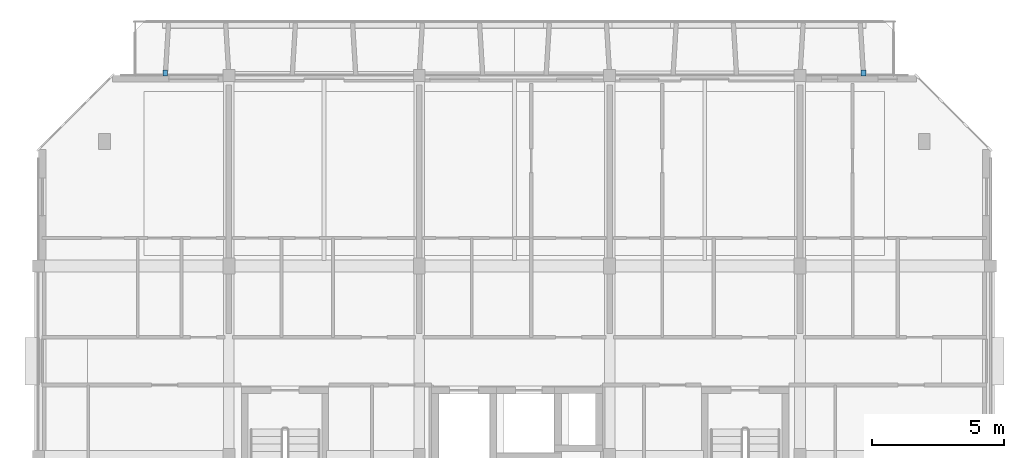
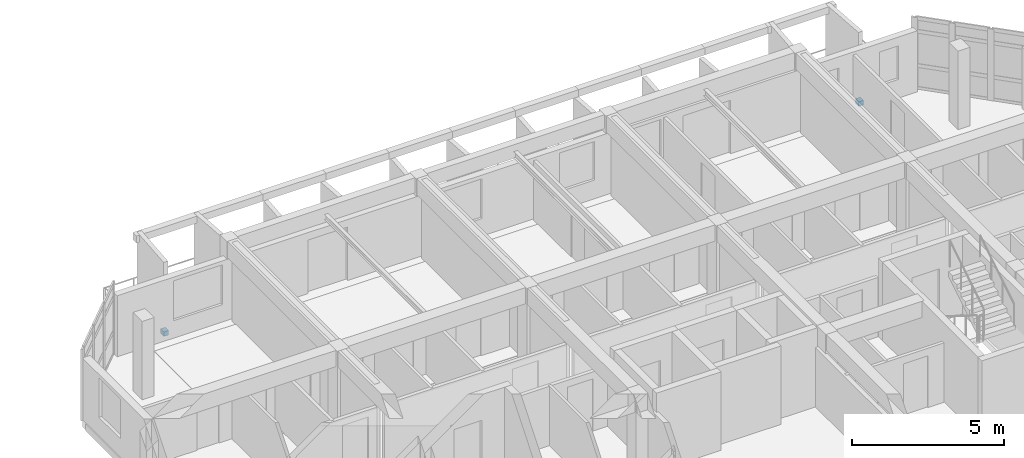
# One storey, part 23 of 30: 2 discrete accessories.
"""IFC4 building model written with IfcOpenShell, lengths in metres."""

import ifcopenshell
import ifcopenshell.guid

model = None  # the IFC model being written
_history = None  # IfcOwnerHistory: only IFC2X3 demands one
_inside = {}  # id of a spatial element -> (the spatial element, [elements in it])
_under = {}  # id of a project, library or spatial element -> (it, [spatial elements below it])
_declared = {}  # id of a project -> (the project, [libraries it declares])
_typed = {}  # id of a type object -> (the type object, [elements of that type])
_made_of = {}  # id of a material, layer set ... -> (it, [elements and type objects made of it])


def new_model(schema):
    """Start an empty IFC model of exactly this schema.

    Asked for "IFC4X3", IfcOpenShell would pick the latest addendum, in which some entities
    have other attributes; the version numbers below select the first issue.
    IFC2X3 requires an IfcOwnerHistory on every rooted entity: one is made here for all.
    """
    global model, _history
    if schema == "IFC4X3":
        model = ifcopenshell.file(schema_version=(4, 3, 0, 0))
    else:
        model = ifcopenshell.file(schema=schema)
    _inside.clear()
    _under.clear()
    _declared.clear()
    _typed.clear()
    _made_of.clear()
    _history = None
    if model.schema == "IFC2X3":
        org = make("IfcOrganization", Name="unknown")
        user = make(
            "IfcPersonAndOrganization",
            ThePerson=make("IfcPerson", FamilyName="unknown"),
            TheOrganization=org,
        )
        app = make(
            "IfcApplication",
            ApplicationDeveloper=org,
            Version="unknown",
            ApplicationFullName="unknown",
            ApplicationIdentifier="unknown",
        )
        _history = make(
            "IfcOwnerHistory",
            OwningUser=user,
            OwningApplication=app,
            ChangeAction="ADDED",
            CreationDate=0,
        )
    return model


def make(cls, **values):
    """One entity of the class cls with the attributes given. An attribute that is None is left unset."""
    return model.create_entity(
        cls, **{name: value for name, value in values.items() if value is not None}
    )


def rooted(cls, **values):
    """An entity with a GlobalId (a new one), such as an element, a storey or a relation."""
    return make(cls, GlobalId=ifcopenshell.guid.new(), OwnerHistory=_history, **values)


def si_unit(unit_type, name, prefix=None):
    """IfcSIUnit, for example si_unit("LENGTHUNIT", "METRE", prefix="MILLI")."""
    return make("IfcSIUnit", UnitType=unit_type, Prefix=prefix, Name=name)


def assignment(units):
    """IfcUnitAssignment: the units of a project."""
    return None if units is None else make("IfcUnitAssignment", Units=units)


def point(xyz):
    """IfcCartesianPoint."""
    return None if xyz is None else make("IfcCartesianPoint", Coordinates=xyz)


def direction(xyz):
    """IfcDirection."""
    return None if xyz is None else make("IfcDirection", DirectionRatios=xyz)


def frame(location, z_axis=None, x_axis=None):
    """IfcAxis2Placement3D, a coordinate frame: its origin and axes. An axis left out is left unset."""
    return make(
        "IfcAxis2Placement3D",
        Location=point(location),
        Axis=direction(z_axis),
        RefDirection=direction(x_axis),
    )


def frame_2d(location, x_axis=None):
    """IfcAxis2Placement2D, a coordinate frame in the plane: its origin and x axis."""
    return make(
        "IfcAxis2Placement2D", Location=point(location), RefDirection=direction(x_axis)
    )


def origin():
    """The frame at (0, 0, 0) with its axes left unset."""
    return frame((0.0, 0.0, 0.0))


def origin_2d():
    """The frame at (0, 0) in the plane with its x axis left unset."""
    return frame_2d((0.0, 0.0))


def place(relative_to, where):
    """IfcLocalPlacement: puts the frame where relative to a parent placement (None: the world)."""
    return make(
        "IfcLocalPlacement", PlacementRelTo=relative_to, RelativePlacement=where
    )


def context(
    kind, dimensions, precision=None, world=None, true_north=None, identifier=None
):
    """IfcGeometricRepresentationContext, for example the 3D "Model" context."""
    return make(
        "IfcGeometricRepresentationContext",
        ContextIdentifier=identifier,
        ContextType=kind,
        CoordinateSpaceDimension=dimensions,
        Precision=precision,
        WorldCoordinateSystem=world,
        TrueNorth=true_north,
    )


def subcontext(parent, identifier, kind, view, scale=None):
    """IfcGeometricRepresentationSubContext, for example "Body" below "Model"."""
    return make(
        "IfcGeometricRepresentationSubContext",
        ContextIdentifier=identifier,
        ContextType=kind,
        ParentContext=parent,
        TargetScale=scale,
        TargetView=view,
    )


def project(units=None, contexts=None):
    """IfcProject with its units and contexts."""
    return rooted(
        "IfcProject",
        Name="project",
        RepresentationContexts=contexts,
        UnitsInContext=assignment(units),
    )


def spatial(cls, under=None, at=None, **own):
    """A site, building, storey or space (cls), placed at a placement, below another one or the project."""
    s = rooted(cls, ObjectPlacement=at, **own)
    if under is not None:
        _under.setdefault(under.id(), (under, []))[1].append(s)
    return s


def profile(cls, at=None, kind="AREA", **sizes):
    """A parametric profile (cls). Its sizes go by their IFC names, for example OverallWidth=200.0."""
    return make(cls, ProfileType=kind, Position=at, **sizes)


def rectangle(**sizes):
    """IfcRectangleProfileDef."""
    return profile("IfcRectangleProfileDef", **sizes)


def extrude(swept, where, along, depth):
    """IfcExtrudedAreaSolid: the profile swept, set in the frame where, extruded along a direction by depth."""
    return make(
        "IfcExtrudedAreaSolid",
        SweptArea=swept,
        Position=where,
        ExtrudedDirection=direction(along),
        Depth=depth,
    )


def shape(context_of_items, identifier, shape_type, items):
    """IfcShapeRepresentation: the items that make up one representation, for example the "Body"."""
    return make(
        "IfcShapeRepresentation",
        ContextOfItems=context_of_items,
        RepresentationIdentifier=identifier,
        RepresentationType=shape_type,
        Items=items,
    )


def material(Name=None, Category=None):
    """IfcMaterial."""
    return make("IfcMaterial", Name=Name, Category=Category)


def made_of(thing, what):
    """Note that an element or type object is made of a material, layer set ...; save() writes the relation."""
    if what is not None:
        _made_of.setdefault(what.id(), (what, []))[1].append(thing)
    return thing


def type_object(cls, material=None, **own):
    """A type object (cls), such as IfcWallType, which elements share."""
    return made_of(rooted(cls, **own), material)


def element(
    cls,
    number,
    at=None,
    inside=None,
    cuts=None,
    type_object=None,
    material=None,
    context=None,
    identifier="Body",
    shape_type=None,
    held_by="IfcProductDefinitionShape",
    body=None,
    shapes=None,
    **own,
):
    """One element of the class cls, such as IfcWall. Its Tag is "e" and its number.

    at: its placement. inside: the storey or other place that contains it. cuts: it is an
    opening in that element (IfcRelVoidsElement). A single representation is given by context,
    identifier, shape_type and body (its items); several are given by shapes. held_by: the class
    of the entity that holds the representations. save() writes the other relations.
    """
    e = rooted(cls, Tag="e%d" % number, ObjectPlacement=at, **own)
    if body is not None:
        shapes = [shape(context, identifier, shape_type, body)]
    if shapes is not None:
        e.Representation = make(held_by, Representations=shapes)
    if inside is not None:
        _inside.setdefault(inside.id(), (inside, []))[1].append(e)
    if cuts is not None:
        rooted(
            "IfcRelVoidsElement", RelatingBuildingElement=cuts, RelatedOpeningElement=e
        )
    if type_object is not None:
        _typed.setdefault(type_object.id(), (type_object, []))[1].append(e)
    return made_of(e, material)


def aggregate(whole, parts):
    """IfcRelAggregates: a whole, such as a stair, and the parts it consists of."""
    return rooted("IfcRelAggregates", RelatingObject=whole, RelatedObjects=parts)


def save(model, path):
    """Write the relations noted so far, then the file.

    IfcRelAggregates (storeys below a building ...), IfcRelContainedInSpatialStructure (elements
    in a storey), IfcRelDefinesByType, IfcRelAssociatesMaterial and IfcRelDeclares: one each for
    every whole, place, type object, material and project.
    """
    for whole, parts in _under.values():
        aggregate(whole, parts)
    for where, things in _inside.values():
        rooted(
            "IfcRelContainedInSpatialStructure",
            RelatedElements=things,
            RelatingStructure=where,
        )
    for kind, things in _typed.values():
        rooted("IfcRelDefinesByType", RelatedObjects=things, RelatingType=kind)
    for what, things in _made_of.values():
        rooted("IfcRelAssociatesMaterial", RelatedObjects=things, RelatingMaterial=what)
    for by, libraries in _declared.values():
        rooted("IfcRelDeclares", RelatingContext=by, RelatedDefinitions=libraries)
    model.write(path)


model = new_model("IFC4")

# Units and contexts
model_context = context("Model", 3, precision=1e-05, world=origin(), true_north=direction((0.0, 1.0)))
body_context = subcontext(model_context, "Body", "Model", "MODEL_VIEW")
ifc_project = project(units=[si_unit("LENGTHUNIT", "METRE"), si_unit("AREAUNIT", "SQUARE_METRE"), si_unit("VOLUMEUNIT", "CUBIC_METRE"), si_unit("PLANEANGLEUNIT", "RADIAN"), si_unit("MASSUNIT", "GRAM", prefix="KILO")], contexts=[model_context])

# Site, building, storey
site_placement = place(None, origin())
site = spatial("IfcSite", under=ifc_project, at=site_placement, CompositionType="ELEMENT")
building_placement = place(site_placement, origin())
building = spatial("IfcBuilding", under=site, at=building_placement, Name="Ochrevale Crest", CompositionType="ELEMENT")
storey_placement = place(building_placement, frame((0.0, 0.0, 33.89990234375)))
storey = spatial("IfcBuildingStorey", under=building, at=storey_placement, Name="L10", CompositionType="ELEMENT", Elevation=33.89990234375)

# Discrete accessories
ifc_material = material(Name="Galvanised steel", Category="steel")
discrete_accessory_type = type_object("IfcDiscreteAccessoryType", Name="ACC-BRK-HC", PredefinedType="BRACKET", material=ifc_material)
for number, where, z_axis, x_axis, name in (
    (1, (134.39990234375, 93.699951171875, 0.0), (0.0, 0.0, 1.0), (1.0, 0.0, 0.0), "Block D L10 precast loggia corbel bracket"),
    (2, (160.800048828125, 93.699951171875, 0.0), (0.0, 0.0, 1.0), (1.0, 0.0, 0.0), "Block D L10 precast loggia corbel bracket"),
):
    element("IfcDiscreteAccessory", number, at=place(storey_placement, frame(where, z_axis=z_axis, x_axis=x_axis)), inside=storey, type_object=discrete_accessory_type, Name=name, PredefinedType="BRACKET", context=body_context, shape_type="SweptSolid", body=[
        extrude(rectangle(XDim=0.179931640625, YDim=0.219970703125, at=origin_2d()), origin(), (0.0, 0.0, 1.0), 0.179931640625),
    ])

save(model, "model.ifc")
